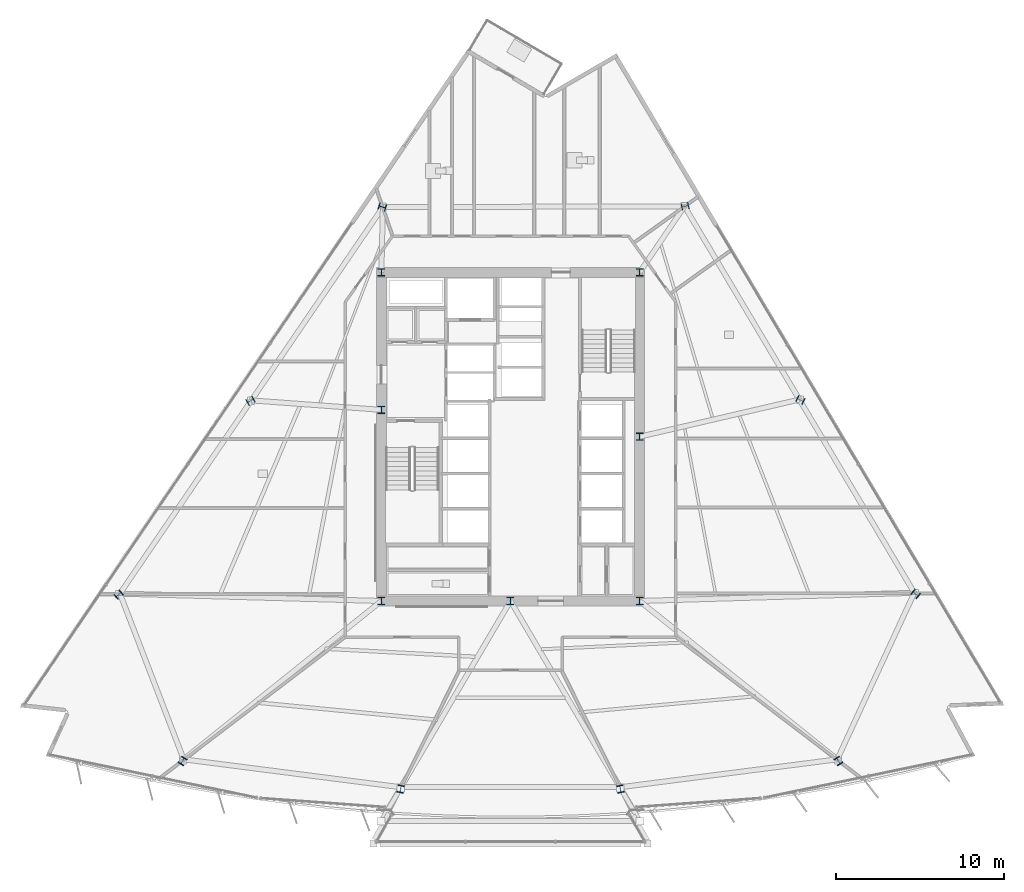
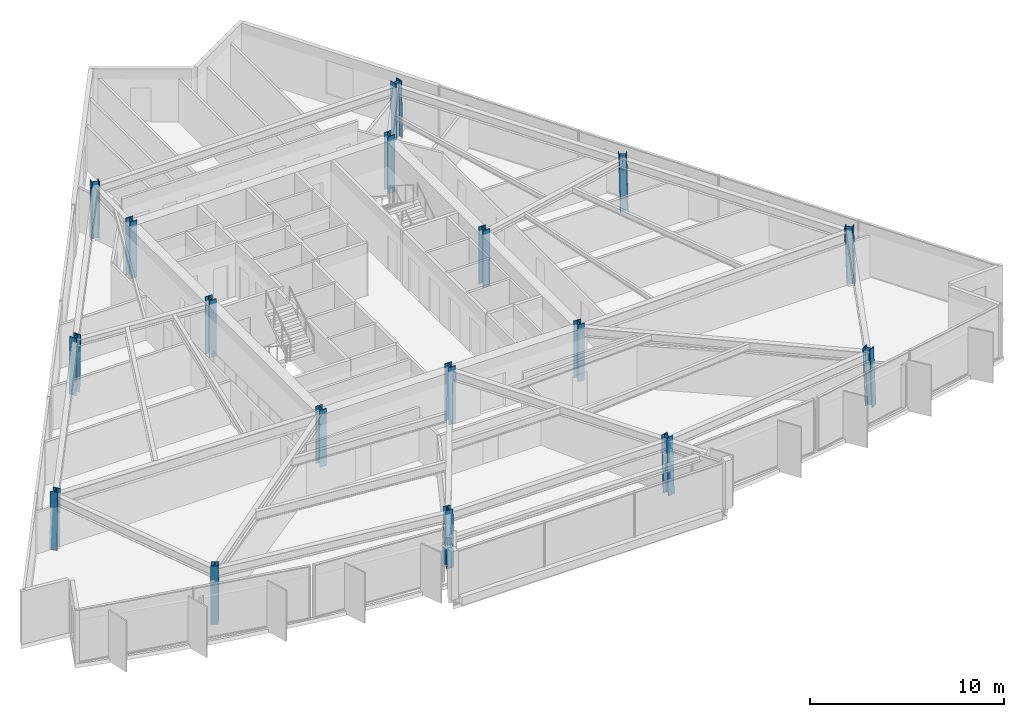
# One storey, part 1 of 16: 17 columns.
"""IFC4 building model written with IfcOpenShell, lengths in metres."""

from ifc_helpers import new_model, si_unit, direction, frame, origin, origin_2d, place, context, subcontext, project, spatial, i_section, extrude, material, material_profile, profile_set, type_object, element, save


model = new_model("IFC4")

# Units and contexts
model_context = context("Model", 3, precision=1e-05, world=origin(), true_north=direction((0.0, 1.0)))
body_context = subcontext(model_context, "Body", "Model", "MODEL_VIEW")
ifc_project = project(units=[si_unit("LENGTHUNIT", "METRE"), si_unit("AREAUNIT", "SQUARE_METRE"), si_unit("VOLUMEUNIT", "CUBIC_METRE"), si_unit("PLANEANGLEUNIT", "RADIAN"), si_unit("MASSUNIT", "GRAM", prefix="KILO")], contexts=[model_context])

# Site, building, storey
site_placement = place(None, origin())
site = spatial("IfcSite", under=ifc_project, at=site_placement, CompositionType="ELEMENT")
building_placement = place(site_placement, origin())
building = spatial("IfcBuilding", under=site, at=building_placement, Name="Savorim Split Tower", CompositionType="ELEMENT")
storey_placement = place(building_placement, frame((0.0, 0.0, 66.0)))
storey = spatial("IfcBuildingStorey", under=building, at=storey_placement, Name="L17", CompositionType="ELEMENT", Elevation=66.0)

# Columns
ifc_material = material(Name="Steel S460", Category="steel")
ifc_material_profile_1 = material_profile(ifc_material, i_section(OverallWidth=0.412109375, OverallDepth=0.43505859375, WebThickness=0.022705078125, FlangeThickness=0.037109375, FilletRadius=0.014892578125, at=origin_2d()), Name="HD 400x463")
ifc_profile_set_1 = profile_set([ifc_material_profile_1], Name="Steel S460")
column_type_1 = type_object("IfcColumnType", Name="COL-HD-463", PredefinedType="COLUMN", material=ifc_profile_set_1)
column_1_placement = place(storey_placement, frame((-19.567626953125, -18.96484375, 0.005615234375), z_axis=(0.020596292833, 0.033511459955, 0.999226087917), x_axis=(-0.851954850327, 0.523615252838, 0.0)))
element("IfcColumn", 1, at=column_1_placement, inside=storey, type_object=column_type_1, Name="L17 Tapered Perimeter Column PC-S1", PredefinedType="COLUMN", context=body_context, shape_type="SweptSolid", body=[
    extrude(i_section(OverallWidth=0.412109375, OverallDepth=0.43505859375, WebThickness=0.022705078125, FlangeThickness=0.037109375, FilletRadius=0.014892578125, at=origin_2d()), origin(), (0.0, 0.0, 1.0), 3.591552734375),
])
for number, where, z_axis, x_axis, name in (
    (2, (-6.55810546875, -20.63525390625, 0.005615234375), (0.006934288159, 0.035283289748, 0.999353293441), (-0.981229659911, 0.192842823335, 0.0), "L17 Tapered Perimeter Column PC-S2"),
    (3, (6.55810546875, -20.63525390625, 0.005615234375), (-0.006934288159, 0.035283289748, 0.999353293441), (-0.981229659911, -0.192842823335, 0.0), "L17 Tapered Perimeter Column PC-S3"),
):
    element("IfcColumn", number, at=place(storey_placement, frame(where, z_axis=z_axis, x_axis=x_axis)), inside=storey, type_object=column_type_1, Name=name, PredefinedType="COLUMN", context=body_context, shape_type="SweptSolid", body=[
        extrude(i_section(OverallWidth=0.412109375, OverallDepth=0.43505859375, WebThickness=0.022705078125, FlangeThickness=0.037109375, FilletRadius=0.014892578125, at=origin_2d()), origin(), (0.0, 0.0, 1.0), 3.59130859375),
    ])
column_2_placement = place(storey_placement, frame((19.567626953125, -18.96484375, 0.005615234375), z_axis=(-0.020596292833, 0.033511459955, 0.999226087917), x_axis=(-0.851954850327, -0.523615252838, 0.0)))
element("IfcColumn", 4, at=column_2_placement, inside=storey, type_object=column_type_1, Name="L17 Tapered Perimeter Column PC-S4", PredefinedType="COLUMN", context=body_context, shape_type="SweptSolid", body=[
    extrude(i_section(OverallWidth=0.412109375, OverallDepth=0.43505859375, WebThickness=0.022705078125, FlangeThickness=0.037109375, FilletRadius=0.014892578125, at=origin_2d()), origin(), (0.0, 0.0, 1.0), 3.591552734375),
])
column_3_placement = place(storey_placement, frame((24.18017578125, -8.989501953125, 0.005615234375), z_axis=(-0.026107475214, 0.021552264695, 0.999426785525), x_axis=(-0.636621915226, -0.771176073964, 0.0)))
element("IfcColumn", 5, at=column_3_placement, inside=storey, type_object=column_type_1, Name="L17 Tapered Perimeter Column PC-E1", PredefinedType="COLUMN", context=body_context, shape_type="SweptSolid", body=[
    extrude(i_section(OverallWidth=0.412109375, OverallDepth=0.43505859375, WebThickness=0.022705078125, FlangeThickness=0.037109375, FilletRadius=0.014892578125, at=origin_2d()), origin(), (0.0, 0.0, 1.0), 3.5908203125),
])
column_4_placement = place(storey_placement, frame((17.300537109375, 2.580078125, 0.005615234375), z_axis=(-0.018907326549, 0.00952167524, 0.999775900241), x_axis=(-0.449781931574, -0.893138406984, 0.0)))
element("IfcColumn", 6, at=column_4_placement, inside=storey, type_object=column_type_1, Name="L17 Tapered Perimeter Column PC-E2", PredefinedType="COLUMN", context=body_context, shape_type="SweptSolid", body=[
    extrude(i_section(OverallWidth=0.412109375, OverallDepth=0.43505859375, WebThickness=0.022705078125, FlangeThickness=0.037109375, FilletRadius=0.014892578125, at=origin_2d()), origin(), (0.0, 0.0, 1.0), 3.589599609375),
])
for number, where, z_axis, x_axis, name in (
    (7, (10.4208984375, 14.14990234375, 0.005615234375), (-0.011699840322, -0.002584848443, 0.999928213571), (0.215728093413, -0.976453475447, 0.0), "L17 Tapered Perimeter Column PC-E3"),
    (8, (-7.64404296875, 14.10107421875, 0.005615234375), (0.008843162072, -0.002584924298, 0.999957557425), (0.280566991813, 0.959834445675, 0.0), "L17 Tapered Perimeter Column PC-W1"),
):
    element("IfcColumn", number, at=place(storey_placement, frame(where, z_axis=z_axis, x_axis=x_axis)), inside=storey, type_object=column_type_1, Name=name, PredefinedType="COLUMN", context=body_context, shape_type="SweptSolid", body=[
        extrude(i_section(OverallWidth=0.412109375, OverallDepth=0.43505859375, WebThickness=0.022705078125, FlangeThickness=0.037109375, FilletRadius=0.014892578125, at=origin_2d()), origin(), (0.0, 0.0, 1.0), 3.589111328125),
    ])
column_5_placement = place(storey_placement, frame((-15.5146484375, 2.53125, 0.005615234375), z_axis=(0.017003572908, 0.009522000828, 0.999810086971), x_axis=(-0.488603368932, 0.87250601595, 0.0)))
element("IfcColumn", 9, at=column_5_placement, inside=storey, type_object=column_type_1, Name="L17 Tapered Perimeter Column PC-W2", PredefinedType="COLUMN", context=body_context, shape_type="SweptSolid", body=[
    extrude(i_section(OverallWidth=0.412109375, OverallDepth=0.43505859375, WebThickness=0.022705078125, FlangeThickness=0.037109375, FilletRadius=0.014892578125, at=origin_2d()), origin(), (0.0, 0.0, 1.0), 3.589599609375),
])
column_6_placement = place(storey_placement, frame((-23.38525390625, -9.038330078125, 0.005615234375), z_axis=(0.025224163578, 0.021620711639, 0.999447990843), x_axis=(-0.650791373456, 0.759256602365, 0.0)))
element("IfcColumn", 10, at=column_6_placement, inside=storey, type_object=column_type_1, Name="L17 Tapered Perimeter Column PC-W3", PredefinedType="COLUMN", context=body_context, shape_type="SweptSolid", body=[
    extrude(i_section(OverallWidth=0.412109375, OverallDepth=0.43505859375, WebThickness=0.022705078125, FlangeThickness=0.037109375, FilletRadius=0.014892578125, at=origin_2d()), origin(), (0.0, 0.0, 1.0), 3.5908203125),
])
ifc_material_profile_2 = material_profile(ifc_material, i_section(OverallWidth=0.416015625, OverallDepth=0.446044921875, WebThickness=0.02490234375, FlangeThickness=0.0400390625, FilletRadius=0.014892578125, at=origin_2d()), Name="HD 400x509")
ifc_profile_set_2 = profile_set([ifc_material_profile_2], Name="Steel S460")
column_type_2 = type_object("IfcColumnType", Name="COL-HD-509", PredefinedType="COLUMN", material=ifc_profile_set_2)
for number, where, z_axis, x_axis, name in (
    (11, (-7.699951171875, -9.39990234375, 0.0), (0.0, 0.0, 1.0), (1.0, 0.0, 0.0), "L17 Core Structural Column TC-C1"),
    (12, (7.699951171875, -9.39990234375, 0.0), (0.0, 0.0, 1.0), (1.0, 0.0, 0.0), "L17 Core Structural Column TC-C2"),
    (13, (7.699951171875, 10.199951171875, 0.0), (0.0, 0.0, 1.0), (1.0, 0.0, 0.0), "L17 Core Structural Column TC-C3"),
    (14, (-7.699951171875, 10.199951171875, 0.0), (0.0, 0.0, 1.0), (1.0, 0.0, 0.0), "L17 Core Structural Column TC-C4"),
    (15, (0.0, -9.39990234375, 0.0), (0.0, 0.0, 1.0), (1.0, 0.0, 0.0), "L17 Core Structural Column TC-C5"),
    (16, (7.699951171875, 0.39990234375, 0.0), (0.0, 0.0, 1.0), (1.0, 0.0, 0.0), "L17 Core Structural Column TC-C6"),
    (17, (-7.699951171875, 2.0, 0.0), (0.0, 0.0, 1.0), (1.0, 0.0, 0.0), "L17 Core Structural Column TC-C7"),
):
    element("IfcColumn", number, at=place(storey_placement, frame(where, z_axis=z_axis, x_axis=x_axis)), inside=storey, type_object=column_type_2, Name=name, PredefinedType="COLUMN", context=body_context, shape_type="SweptSolid", body=[
        extrude(i_section(OverallWidth=0.416015625, OverallDepth=0.446044921875, WebThickness=0.02490234375, FlangeThickness=0.0400390625, FilletRadius=0.014892578125, at=origin_2d()), origin(), (0.0, 0.0, 1.0), 3.60009765625),
    ])

save(model, "model.ifc")
